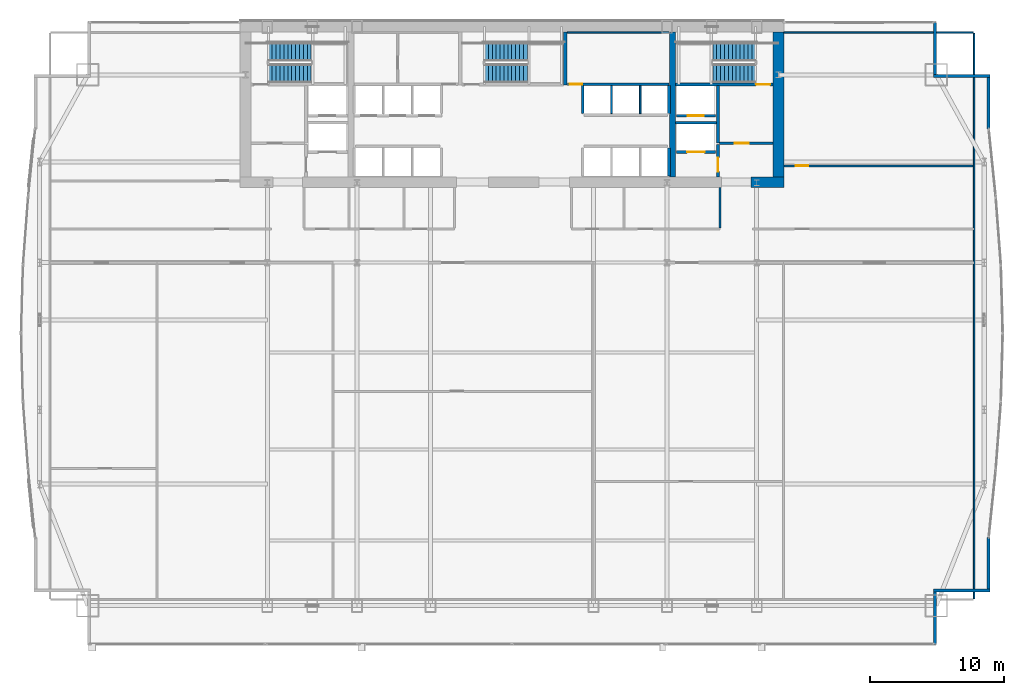
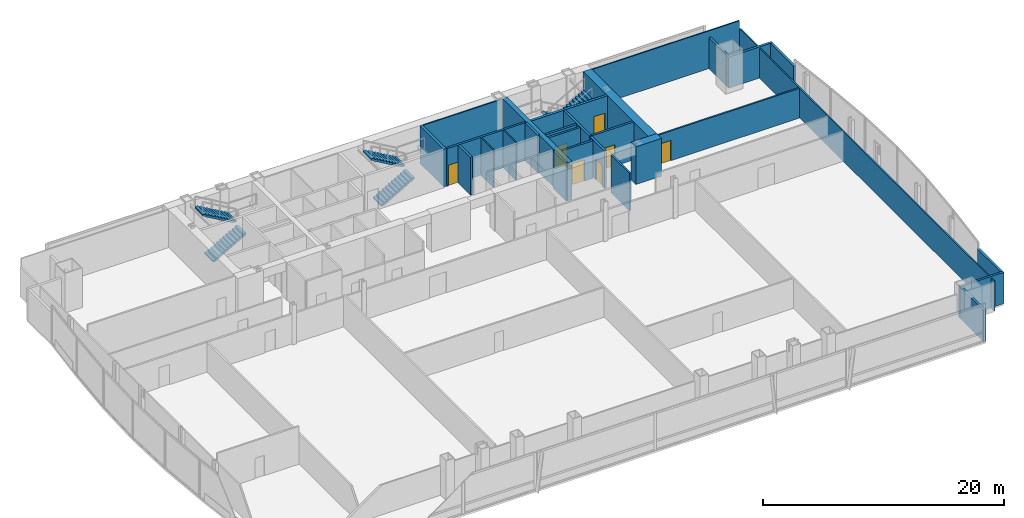
# One storey, part 31 of 33: 28 walls, 7 doors, 6 stair flights, 7 openings, 3 elements without a shape of their own.
"""IFC4 building model written with IfcOpenShell, lengths in metres."""

import ifcopenshell
import ifcopenshell.guid

model = None  # the IFC model being written
_history = None  # IfcOwnerHistory: only IFC2X3 demands one
_inside = {}  # id of a spatial element -> (the spatial element, [elements in it])
_under = {}  # id of a project, library or spatial element -> (it, [spatial elements below it])
_declared = {}  # id of a project -> (the project, [libraries it declares])
_typed = {}  # id of a type object -> (the type object, [elements of that type])
_made_of = {}  # id of a material, layer set ... -> (it, [elements and type objects made of it])


def new_model(schema):
    """Start an empty IFC model of exactly this schema.

    Asked for "IFC4X3", IfcOpenShell would pick the latest addendum, in which some entities
    have other attributes; the version numbers below select the first issue.
    IFC2X3 requires an IfcOwnerHistory on every rooted entity: one is made here for all.
    """
    global model, _history
    if schema == "IFC4X3":
        model = ifcopenshell.file(schema_version=(4, 3, 0, 0))
    else:
        model = ifcopenshell.file(schema=schema)
    _inside.clear()
    _under.clear()
    _declared.clear()
    _typed.clear()
    _made_of.clear()
    _history = None
    if model.schema == "IFC2X3":
        org = make("IfcOrganization", Name="unknown")
        user = make(
            "IfcPersonAndOrganization",
            ThePerson=make("IfcPerson", FamilyName="unknown"),
            TheOrganization=org,
        )
        app = make(
            "IfcApplication",
            ApplicationDeveloper=org,
            Version="unknown",
            ApplicationFullName="unknown",
            ApplicationIdentifier="unknown",
        )
        _history = make(
            "IfcOwnerHistory",
            OwningUser=user,
            OwningApplication=app,
            ChangeAction="ADDED",
            CreationDate=0,
        )
    return model


def make(cls, **values):
    """One entity of the class cls with the attributes given. An attribute that is None is left unset."""
    return model.create_entity(
        cls, **{name: value for name, value in values.items() if value is not None}
    )


def rooted(cls, **values):
    """An entity with a GlobalId (a new one), such as an element, a storey or a relation."""
    return make(cls, GlobalId=ifcopenshell.guid.new(), OwnerHistory=_history, **values)


def si_unit(unit_type, name, prefix=None):
    """IfcSIUnit, for example si_unit("LENGTHUNIT", "METRE", prefix="MILLI")."""
    return make("IfcSIUnit", UnitType=unit_type, Prefix=prefix, Name=name)


def assignment(units):
    """IfcUnitAssignment: the units of a project."""
    return None if units is None else make("IfcUnitAssignment", Units=units)


def point(xyz):
    """IfcCartesianPoint."""
    return None if xyz is None else make("IfcCartesianPoint", Coordinates=xyz)


def direction(xyz):
    """IfcDirection."""
    return None if xyz is None else make("IfcDirection", DirectionRatios=xyz)


def frame(location, z_axis=None, x_axis=None):
    """IfcAxis2Placement3D, a coordinate frame: its origin and axes. An axis left out is left unset."""
    return make(
        "IfcAxis2Placement3D",
        Location=point(location),
        Axis=direction(z_axis),
        RefDirection=direction(x_axis),
    )


def frame_2d(location, x_axis=None):
    """IfcAxis2Placement2D, a coordinate frame in the plane: its origin and x axis."""
    return make(
        "IfcAxis2Placement2D", Location=point(location), RefDirection=direction(x_axis)
    )


def origin():
    """The frame at (0, 0, 0) with its axes left unset."""
    return frame((0.0, 0.0, 0.0))


def place(relative_to, where):
    """IfcLocalPlacement: puts the frame where relative to a parent placement (None: the world)."""
    return make(
        "IfcLocalPlacement", PlacementRelTo=relative_to, RelativePlacement=where
    )


def context(
    kind, dimensions, precision=None, world=None, true_north=None, identifier=None
):
    """IfcGeometricRepresentationContext, for example the 3D "Model" context."""
    return make(
        "IfcGeometricRepresentationContext",
        ContextIdentifier=identifier,
        ContextType=kind,
        CoordinateSpaceDimension=dimensions,
        Precision=precision,
        WorldCoordinateSystem=world,
        TrueNorth=true_north,
    )


def subcontext(parent, identifier, kind, view, scale=None):
    """IfcGeometricRepresentationSubContext, for example "Body" below "Model"."""
    return make(
        "IfcGeometricRepresentationSubContext",
        ContextIdentifier=identifier,
        ContextType=kind,
        ParentContext=parent,
        TargetScale=scale,
        TargetView=view,
    )


def project(units=None, contexts=None):
    """IfcProject with its units and contexts."""
    return rooted(
        "IfcProject",
        Name="project",
        RepresentationContexts=contexts,
        UnitsInContext=assignment(units),
    )


def spatial(cls, under=None, at=None, **own):
    """A site, building, storey or space (cls), placed at a placement, below another one or the project."""
    s = rooted(cls, ObjectPlacement=at, **own)
    if under is not None:
        _under.setdefault(under.id(), (under, []))[1].append(s)
    return s


def polyline(points):
    """IfcPolyline through the points."""
    return make("IfcPolyline", Points=[point(p) for p in points])


def profile(cls, at=None, kind="AREA", **sizes):
    """A parametric profile (cls). Its sizes go by their IFC names, for example OverallWidth=200.0."""
    return make(cls, ProfileType=kind, Position=at, **sizes)


def rectangle(**sizes):
    """IfcRectangleProfileDef."""
    return profile("IfcRectangleProfileDef", **sizes)


def outline(outer, holes=None, kind="AREA"):
    """IfcArbitraryClosedProfileDef: a profile drawn as a closed curve; with holes, ...WithVoids."""
    if holes is None:
        return make("IfcArbitraryClosedProfileDef", ProfileType=kind, OuterCurve=outer)
    return make(
        "IfcArbitraryProfileDefWithVoids",
        ProfileType=kind,
        OuterCurve=outer,
        InnerCurves=holes,
    )


def extrude(swept, where, along, depth):
    """IfcExtrudedAreaSolid: the profile swept, set in the frame where, extruded along a direction by depth."""
    return make(
        "IfcExtrudedAreaSolid",
        SweptArea=swept,
        Position=where,
        ExtrudedDirection=direction(along),
        Depth=depth,
    )


def shape(context_of_items, identifier, shape_type, items):
    """IfcShapeRepresentation: the items that make up one representation, for example the "Body"."""
    return make(
        "IfcShapeRepresentation",
        ContextOfItems=context_of_items,
        RepresentationIdentifier=identifier,
        RepresentationType=shape_type,
        Items=items,
    )


def material(Name=None, Category=None):
    """IfcMaterial."""
    return make("IfcMaterial", Name=Name, Category=Category)


def layer(
    of_material, thickness, ventilated=None, Name=None, Category=None, Priority=None
):
    """IfcMaterialLayer: one layer of a wall or slab, of a material (None: an air gap)."""
    return make(
        "IfcMaterialLayer",
        Material=of_material,
        LayerThickness=thickness,
        IsVentilated=ventilated,
        Name=Name,
        Category=Category,
        Priority=Priority,
    )


def layer_set(layers, Name=None):
    """IfcMaterialLayerSet."""
    return make("IfcMaterialLayerSet", MaterialLayers=layers, LayerSetName=Name)


def made_of(thing, what):
    """Note that an element or type object is made of a material, layer set ...; save() writes the relation."""
    if what is not None:
        _made_of.setdefault(what.id(), (what, []))[1].append(thing)
    return thing


def type_object(cls, material=None, **own):
    """A type object (cls), such as IfcWallType, which elements share."""
    return made_of(rooted(cls, **own), material)


def element(
    cls,
    number,
    at=None,
    inside=None,
    cuts=None,
    type_object=None,
    material=None,
    context=None,
    identifier="Body",
    shape_type=None,
    held_by="IfcProductDefinitionShape",
    body=None,
    shapes=None,
    **own,
):
    """One element of the class cls, such as IfcWall. Its Tag is "e" and its number.

    at: its placement. inside: the storey or other place that contains it. cuts: it is an
    opening in that element (IfcRelVoidsElement). A single representation is given by context,
    identifier, shape_type and body (its items); several are given by shapes. held_by: the class
    of the entity that holds the representations. save() writes the other relations.
    """
    e = rooted(cls, Tag="e%d" % number, ObjectPlacement=at, **own)
    if body is not None:
        shapes = [shape(context, identifier, shape_type, body)]
    if shapes is not None:
        e.Representation = make(held_by, Representations=shapes)
    if inside is not None:
        _inside.setdefault(inside.id(), (inside, []))[1].append(e)
    if cuts is not None:
        rooted(
            "IfcRelVoidsElement", RelatingBuildingElement=cuts, RelatedOpeningElement=e
        )
    if type_object is not None:
        _typed.setdefault(type_object.id(), (type_object, []))[1].append(e)
    return made_of(e, material)


def fill(opening, filler):
    """IfcRelFillsElement: the door or window that sits in an opening."""
    return rooted(
        "IfcRelFillsElement",
        RelatingOpeningElement=opening,
        RelatedBuildingElement=filler,
    )


def aggregate(whole, parts):
    """IfcRelAggregates: a whole, such as a stair, and the parts it consists of."""
    return rooted("IfcRelAggregates", RelatingObject=whole, RelatedObjects=parts)


def save(model, path):
    """Write the relations noted so far, then the file.

    IfcRelAggregates (storeys below a building ...), IfcRelContainedInSpatialStructure (elements
    in a storey), IfcRelDefinesByType, IfcRelAssociatesMaterial and IfcRelDeclares: one each for
    every whole, place, type object, material and project.
    """
    for whole, parts in _under.values():
        aggregate(whole, parts)
    for where, things in _inside.values():
        rooted(
            "IfcRelContainedInSpatialStructure",
            RelatedElements=things,
            RelatingStructure=where,
        )
    for kind, things in _typed.values():
        rooted("IfcRelDefinesByType", RelatedObjects=things, RelatingType=kind)
    for what, things in _made_of.values():
        rooted("IfcRelAssociatesMaterial", RelatedObjects=things, RelatingMaterial=what)
    for by, libraries in _declared.values():
        rooted("IfcRelDeclares", RelatingContext=by, RelatedDefinitions=libraries)
    model.write(path)


model = new_model("IFC4")

# Units and contexts
model_context = context("Model", 3, precision=1e-05, world=origin(), true_north=direction((0.0, 1.0)))
body_context = subcontext(model_context, "Body", "Model", "MODEL_VIEW")
ifc_project = project(units=[si_unit("LENGTHUNIT", "METRE"), si_unit("AREAUNIT", "SQUARE_METRE"), si_unit("VOLUMEUNIT", "CUBIC_METRE"), si_unit("PLANEANGLEUNIT", "RADIAN"), si_unit("MASSUNIT", "GRAM", prefix="KILO")], contexts=[model_context])

# Site, building, storey
site_placement = place(None, origin())
site = spatial("IfcSite", under=ifc_project, at=site_placement, CompositionType="ELEMENT")
building_placement = place(site_placement, origin())
building = spatial("IfcBuilding", under=site, at=building_placement, Name="Khoronbel Lancet Exchange", CompositionType="ELEMENT")
storey_placement = place(building_placement, frame((0.0, 0.0, 33.800048828125)))
storey = spatial("IfcBuildingStorey", under=building, at=storey_placement, Name="L07", CompositionType="ELEMENT", Elevation=33.800048828125)

# Walls
ifc_material_1 = material(Name="Concrete C80/95", Category="concrete")
ifc_layer_1 = layer(ifc_material_1, 0.800048828125, Name="Concrete C80/95")
ifc_layer_set_1 = layer_set([ifc_layer_1], Name="Concrete C80/95")
wall_type_1 = type_object("IfcWallType", Name="WL-CW1", PredefinedType="SHEAR", material=ifc_layer_set_1)
wall_1_placement = place(storey_placement, frame((56.300048828125, 52.89990234375, 0.0), z_axis=(0.0, 0.0, 1.0), x_axis=(0.0, -1.0, 0.0)))
element("IfcWall", 1, at=wall_1_placement, inside=storey, type_object=wall_type_1, Name="Level L07 rear core east shear wall", PredefinedType="SHEAR", context=body_context, shape_type="SweptSolid", body=[
    extrude(rectangle(XDim=10.7998046875, YDim=0.800048828125, at=frame_2d((5.39990234375, 0.0))), origin(), (0.0, 0.0, 1.0), 3.820068359375),
])
wall_2_placement = place(storey_placement, frame((56.699951171875, 41.699951171875, 0.0), z_axis=(0.0, 0.0, 1.0), x_axis=(-1.0, 0.0, 0.0)))
element("IfcWall", 2, at=wall_2_placement, inside=storey, type_object=wall_type_1, Name="Level L07 rear core south shear wall pier P5", PredefinedType="SHEAR", context=body_context, shape_type="SweptSolid", body=[
    extrude(rectangle(XDim=2.449951171875, YDim=0.800048828125, at=frame_2d((1.22509765625, 0.0))), origin(), (0.0, 0.0, 1.0), 3.820068359375),
])
ifc_material_2 = material(Name="Precast concrete C40/50", Category="concrete")
ifc_layer_2 = layer(ifc_material_2, 0.25, Name="Precast concrete C40/50")
ifc_layer_set_2 = layer_set([ifc_layer_2], Name="Precast concrete C40/50")
wall_type_2 = type_object("IfcWallType", Name="WL-EXT250", PredefinedType="SOLIDWALL", material=ifc_layer_set_2)
wall_3_placement = place(storey_placement, frame((67.9599609375, 53.6298828125, 0.0), z_axis=(0.0, 0.0, 1.0), x_axis=(0.0, -1.0, 0.0)))
element("IfcWall", 3, at=wall_3_placement, inside=storey, type_object=wall_type_2, Name="Level L07 notched-corner limestone pier 14", PredefinedType="SOLIDWALL", context=body_context, shape_type="SweptSolid", body=[
    extrude(rectangle(XDim=3.909912109375, YDim=0.219970703125, at=frame_2d((1.955078125, 0.0))), origin(), (0.0, 0.0, 1.0), 3.159912109375),
])
wall_4_placement = place(storey_placement, frame((67.85009765625, 49.610107421875, 0.0), z_axis=(0.0, 0.0, 1.0), x_axis=(1.0, 0.0, 0.0)))
element("IfcWall", 4, at=wall_4_placement, inside=storey, type_object=wall_type_2, Name="Level L07 notched-corner limestone pier 15", PredefinedType="SOLIDWALL", context=body_context, shape_type="SweptSolid", body=[
    extrude(rectangle(XDim=4.219970703125, YDim=0.219970703125, at=frame_2d((2.10986328125, 0.0))), origin(), (0.0, 0.0, 1.0), 3.159912109375),
])
for number, where, z_axis, x_axis, name in (
    (5, (71.9599609375, 49.5, 0.0), (0.0, 0.0, 1.0), (0.0, -1.0, 0.0), "Level L07 notched-corner limestone pier 16"),
    (6, (71.9599609375, 15.224609375, 0.0), (0.0, 0.0, 1.0), (0.0, -1.0, 0.0), "Level L07 notched-corner limestone pier 23"),
):
    element("IfcWall", number, at=place(storey_placement, frame(where, z_axis=z_axis, x_axis=x_axis)), inside=storey, type_object=wall_type_2, Name=name, PredefinedType="SOLIDWALL", context=body_context, shape_type="SweptSolid", body=[
        extrude(rectangle(XDim=3.82470703125, YDim=0.219970703125, at=frame_2d((1.912353515625, 0.0))), origin(), (0.0, 0.0, 1.0), 3.159912109375),
    ])
wall_5_placement = place(storey_placement, frame((72.070068359375, 11.2900390625, 0.0), z_axis=(0.0, 0.0, 1.0), x_axis=(-1.0, 0.0, 0.0)))
element("IfcWall", 7, at=wall_5_placement, inside=storey, type_object=wall_type_2, Name="Level L07 notched-corner limestone pier 24", PredefinedType="SOLIDWALL", context=body_context, shape_type="SweptSolid", body=[
    extrude(rectangle(XDim=4.219970703125, YDim=0.219970703125, at=frame_2d((2.10986328125, 0.0))), origin(), (0.0, 0.0, 1.0), 3.159912109375),
])
wall_6_placement = place(storey_placement, frame((67.9599609375, 11.179931640625, 0.0), z_axis=(0.0, 0.0, 1.0), x_axis=(0.0, -1.0, 0.0)))
element("IfcWall", 8, at=wall_6_placement, inside=storey, type_object=wall_type_2, Name="Level L07 notched-corner limestone pier 25", PredefinedType="SOLIDWALL", context=body_context, shape_type="SweptSolid", body=[
    extrude(rectangle(XDim=3.909912109375, YDim=0.219970703125, at=frame_2d((1.955078125, 0.0))), origin(), (0.0, 0.0, 1.0), 3.159912109375),
])
ifc_material_3 = material(Name="Acoustic Metal-Stud & Mineral-Wool Gypsum Partition 120 mm", Category="gypsum")
ifc_layer_3 = layer(ifc_material_3, 0.1201171875, Name="Acoustic Metal-Stud & Mineral-Wool Gypsum Partition 120 mm")
ifc_layer_set_3 = layer_set([ifc_layer_3], Name="Acoustic Metal-Stud & Mineral-Wool Gypsum Partition 120 mm")
wall_type_3 = type_object("IfcWallType", Name="WL-PRT120", PredefinedType="PARTITIONING", material=ifc_layer_set_3)
wall_7_placement = place(storey_placement, frame((51.949951171875, 38.280029296875, 0.0), z_axis=(0.0, 0.0, 1.0), x_axis=(0.0, 1.0, 0.0)))
element("IfcWall", 9, at=wall_7_placement, inside=storey, type_object=wall_type_3, Name="Level L07 interior partition PW-NP-1", PredefinedType="PARTITIONING", context=body_context, shape_type="SweptSolid", body=[
    extrude(rectangle(XDim=3.02001953125, YDim=0.14990234375, at=frame_2d((1.510009765625, 0.0))), origin(), (0.0, 0.0, 1.0), 3.820068359375),
])

# Wall, opening, door
wall_8_placement = place(storey_placement, frame((56.699951171875, 42.919921875, 0.0), z_axis=(0.0, 0.0, 1.0), x_axis=(1.0, 0.0, 0.0)))
wall_8 = element("IfcWall", 10, at=wall_8_placement, inside=storey, type_object=wall_type_3, Name="Level L07 interior partition PW-NE-H", PredefinedType="PARTITIONING", context=body_context, shape_type="SweptSolid", body=[
    extrude(rectangle(XDim=14.10498046875, YDim=0.14990234375, at=frame_2d((7.052490234375, 0.0))), origin(), (0.0, 0.0, 1.0), 3.010009765625),
])
opening_1_placement = place(wall_8_placement, frame((0.89990234375, 0.0, 0.0)))
opening_1 = element("IfcOpeningElement", 11, at=opening_1_placement, cuts=wall_8, Name="Opening D5", PredefinedType="OPENING", context=body_context, shape_type="SweptSolid", body=[
    extrude(rectangle(XDim=0.89990234375, YDim=2.050048828125, at=frame_2d((0.449951171875, 1.02490234375))), frame((0.0, 0.0849609375, 0.0), z_axis=(0.0, -1.0, 0.0), x_axis=(1.0, 0.0, 0.0)), (0.0, 0.0, 1.0), 0.169921875),
])
ifc_material_4 = material(Name="Acoustic Timber Pantry & Support Door", Category="wood")
door_type_1 = type_object("IfcDoorType", Name="DR-D5", OperationType="NOTDEFINED", PredefinedType="DOOR", material=ifc_material_4)
door_1_placement = place(opening_1_placement, origin())
door_1 = element("IfcDoor", 12, at=door_1_placement, inside=storey, type_object=door_type_1, Name="NE north room door L07-1", OperationType="SINGLE_SWING_LEFT", OverallHeight=2.050048828125, OverallWidth=0.89990234375, PredefinedType="DOOR", context=body_context, shape_type="SweptSolid", body=[
    extrude(rectangle(XDim=0.89990234375, YDim=2.050048828125, at=frame_2d((0.449951171875, 1.02490234375))), frame((0.0, 0.02490234375, 0.0), z_axis=(0.0, -1.0, 0.0), x_axis=(1.0, 0.0, 0.0)), (0.0, 0.0, 1.0), 0.050048828125),
])
fill(opening_1, door_1)

# Walls
wall_9_placement = place(storey_placement, frame((70.8701171875, 10.6650390625, 0.0), z_axis=(0.0, 0.0, 1.0), x_axis=(0.0, 1.0, 0.0)))
element("IfcWall", 13, at=wall_9_placement, inside=storey, type_object=wall_type_3, Name="Level L07 interior partition PW-LIN-E", PredefinedType="PARTITIONING", context=body_context, shape_type="SweptSolid", body=[
    extrude(rectangle(XDim=42.10986328125, YDim=0.1201171875, at=frame_2d((21.054931640625, 0.0))), origin(), (0.0, 0.0, 1.0), 3.010009765625),
])
wall_10_placement = place(storey_placement, frame((56.699951171875, 52.840087890625, 0.0), z_axis=(0.0, 0.0, 1.0), x_axis=(1.0, 0.0, 0.0)))
element("IfcWall", 14, at=wall_10_placement, inside=storey, type_object=wall_type_3, Name="Level L07 interior partition PW-LIN-NE", PredefinedType="PARTITIONING", context=body_context, shape_type="SweptSolid", body=[
    extrude(rectangle(XDim=14.10498046875, YDim=0.1201171875, at=frame_2d((7.052490234375, 0.0))), origin(), (0.0, 0.0, 1.0), 3.820068359375),
])
ifc_material_5 = material(Name="Fire-Rated Metal-Stud & Mineral-Wool Gypsum Partition 120 mm", Category="gypsum")
ifc_layer_4 = layer(ifc_material_5, 0.1201171875, Name="Fire-Rated Metal-Stud & Mineral-Wool Gypsum Partition 120 mm")
ifc_layer_set_4 = layer_set([ifc_layer_4], Name="Fire-Rated Metal-Stud & Mineral-Wool Gypsum Partition 120 mm")
wall_type_4 = type_object("IfcWallType", Name="WL-PRT120F", PredefinedType="PARTITIONING", material=ifc_layer_set_4)
for number, where, z_axis, x_axis, name in (
    (15, (43.860107421875, 46.804931640625, 0.0), (0.0, 0.0, 1.0), (0.0, 1.0, 0.0), "Level L07 interior partition CW-PH-D1"),
    (16, (46.0, 46.804931640625, 0.0), (0.0, 0.0, 1.0), (0.0, 1.0, 0.0), "Level L07 interior partition CW-PH-D2"),
):
    element("IfcWall", number, at=place(storey_placement, frame(where, z_axis=z_axis, x_axis=x_axis)), inside=storey, type_object=wall_type_4, Name=name, PredefinedType="PARTITIONING", context=body_context, shape_type="SweptSolid", body=[
        extrude(rectangle(XDim=2.090087890625, YDim=0.1201171875, at=frame_2d((1.044921875, 0.0))), origin(), (0.0, 0.0, 1.0), 3.820068359375),
    ])
wall_11_placement = place(storey_placement, frame((40.580078125, 52.860107421875, 0.0), z_axis=(0.0, 0.0, 1.0), x_axis=(1.0, 0.0, 0.0)))
element("IfcWall", 17, at=wall_11_placement, inside=storey, type_object=wall_type_4, Name="Level L07 interior partition CW-SUP-NE-N", PredefinedType="PARTITIONING", context=body_context, shape_type="SweptSolid", body=[
    extrude(rectangle(XDim=7.559814453125, YDim=0.1201171875, at=frame_2d((3.77978515625, 0.0))), origin(), (0.0, 0.0, 1.0), 3.820068359375),
])

# Wall, opening, door
ifc_material_6 = material(Name="Autoclaved Aerated Concrete Blockwork 200 mm", Category="masonry")
ifc_layer_5 = layer(ifc_material_6, 0.199951171875, Name="Autoclaved Aerated Concrete Blockwork 200 mm")
ifc_layer_set_5 = layer_set([ifc_layer_5], Name="Autoclaved Aerated Concrete Blockwork 200 mm")
wall_type_5 = type_object("IfcWallType", Name="WL-PRT200", PredefinedType="PARTITIONING", material=ifc_layer_set_5)
wall_12_placement = place(storey_placement, frame((51.610107421875, 43.949951171875, 0.0), z_axis=(0.0, 0.0, 1.0), x_axis=(-1.0, 0.0, 0.0)))
wall_12 = element("IfcWall", 18, at=wall_12_placement, inside=storey, type_object=wall_type_5, Name="Level L07 elevator hoistway landing front wall SVLE", PredefinedType="PARTITIONING", context=body_context, shape_type="SweptSolid", body=[
    extrude(rectangle(XDim=2.920166015625, YDim=0.199951171875, at=frame_2d((1.4599609375, 0.0))), origin(), (0.0, 0.0, 1.0), 3.820068359375),
])
opening_2_placement = place(wall_12_placement, frame((0.81005859375, 0.0, 0.0)))
opening_2 = element("IfcOpeningElement", 19, at=opening_2_placement, cuts=wall_12, Name="Opening LD-SVL2", PredefinedType="OPENING", context=body_context, shape_type="SweptSolid", body=[
    extrude(rectangle(XDim=1.300048828125, YDim=2.179931640625, at=frame_2d((0.64990234375, 1.08984375))), frame((0.0, 0.10986328125, 0.0), z_axis=(0.0, -1.0, 0.0), x_axis=(1.0, 0.0, 0.0)), (0.0, 0.0, 1.0), 0.219970703125),
])
ifc_material_7 = material(Name="Heavy-Duty Bi-Parting Goods Lift Landing Door", Category="steel")
door_type_2 = type_object("IfcDoorType", Name="DR-LD-SVL", OperationType="NOTDEFINED", PredefinedType="DOOR", material=ifc_material_7)
door_2_placement = place(opening_2_placement, origin())
door_2 = element("IfcDoor", 20, at=door_2_placement, inside=storey, type_object=door_type_2, Name="Elevator landing sliding door LD-SVL2 L07", OperationType="SLIDING_TO_LEFT", OverallHeight=2.179931640625, OverallWidth=1.300048828125, PredefinedType="DOOR", context=body_context, shape_type="SweptSolid", body=[
    extrude(rectangle(XDim=1.300048828125, YDim=2.179931640625, at=frame_2d((0.64990234375, 1.08984375))), frame((0.0, 0.02490234375, 0.0), z_axis=(0.0, -1.0, 0.0), x_axis=(1.0, 0.0, 0.0)), (0.0, 0.0, 1.0), 0.050048828125),
])
fill(opening_2, door_2)

wall_13_placement = place(storey_placement, frame((51.610107421875, 46.64990234375, 0.0), z_axis=(0.0, 0.0, 1.0), x_axis=(-1.0, 0.0, 0.0)))
wall_13 = element("IfcWall", 21, at=wall_13_placement, inside=storey, type_object=wall_type_5, Name="Level L07 elevator hoistway landing front wall FFLE", PredefinedType="PARTITIONING", context=body_context, shape_type="SweptSolid", body=[
    extrude(rectangle(XDim=2.920166015625, YDim=0.199951171875, at=frame_2d((1.4599609375, 0.0))), origin(), (0.0, 0.0, 1.0), 3.820068359375),
])
opening_3_placement = place(wall_13_placement, frame((0.860107421875, 0.0, 0.0)))
opening_3 = element("IfcOpeningElement", 22, at=opening_3_placement, cuts=wall_13, Name="Opening LD-FFL2", PredefinedType="OPENING", context=body_context, shape_type="SweptSolid", body=[
    extrude(rectangle(XDim=1.199951171875, YDim=2.179931640625, at=frame_2d((0.60009765625, 1.08984375))), frame((0.0, 0.10986328125, 0.0), z_axis=(0.0, -1.0, 0.0), x_axis=(1.0, 0.0, 0.0)), (0.0, 0.0, 1.0), 0.219970703125),
])
ifc_material_8 = material(Name="Fire-Rated Stainless Bi-Parting Firefighting Lift Door", Category="steel")
door_type_3 = type_object("IfcDoorType", Name="DR-LD-FFL", OperationType="NOTDEFINED", PredefinedType="DOOR", material=ifc_material_8)
door_3_placement = place(opening_3_placement, origin())
door_3 = element("IfcDoor", 23, at=door_3_placement, inside=storey, type_object=door_type_3, Name="Elevator landing sliding door LD-FFL2 L07", OperationType="SLIDING_TO_LEFT", OverallHeight=2.179931640625, OverallWidth=1.199951171875, PredefinedType="DOOR", context=body_context, shape_type="SweptSolid", body=[
    extrude(rectangle(XDim=1.199951171875, YDim=2.179931640625, at=frame_2d((0.60009765625, 1.08984375))), frame((0.0, 0.02490234375, 0.0), z_axis=(0.0, -1.0, 0.0), x_axis=(1.0, 0.0, 0.0)), (0.0, 0.0, 1.0), 0.050048828125),
])
fill(opening_3, door_3)

# Wall
wall_14_placement = place(storey_placement, frame((51.800048828125, 44.60009765625, 0.0), z_axis=(0.0, 0.0, 1.0), x_axis=(0.0, 1.0, 0.0)))
element("IfcWall", 24, at=wall_14_placement, inside=storey, type_object=wall_type_5, Name="Level L07 interior partition CW-FFLE-W", PredefinedType="PARTITIONING", context=body_context, shape_type="SweptSolid", body=[
    extrude(rectangle(XDim=4.2998046875, YDim=0.199951171875, at=frame_2d((2.14990234375, 0.0))), origin(), (0.0, 0.0, 1.0), 3.820068359375),
])

# Wall, opening, door
wall_15_placement = place(storey_placement, frame((51.89990234375, 44.60009765625, 0.0), z_axis=(0.0, 0.0, 1.0), x_axis=(1.0, 0.0, 0.0)))
wall_15 = element("IfcWall", 25, at=wall_15_placement, inside=storey, type_object=wall_type_5, Name="Level L07 interior partition CW-FFLE-S", PredefinedType="PARTITIONING", context=body_context, shape_type="SweptSolid", body=[
    extrude(rectangle(XDim=4.0, YDim=0.199951171875, at=frame_2d((2.0, 0.0))), origin(), (0.0, 0.0, 1.0), 3.820068359375),
])
opening_4_placement = place(wall_15_placement, frame((1.14990234375, 0.0, 0.0)))
opening_4 = element("IfcOpeningElement", 26, at=opening_4_placement, cuts=wall_15, Name="Opening FD1", PredefinedType="OPENING", context=body_context, shape_type="SweptSolid", body=[
    extrude(rectangle(XDim=1.050048828125, YDim=2.14990234375, at=frame_2d((0.52490234375, 1.074951171875))), frame((0.0, 0.10986328125, 0.0), z_axis=(0.0, -1.0, 0.0), x_axis=(1.0, 0.0, 0.0)), (0.0, 0.0, 1.0), 0.219970703125),
])
ifc_material_9 = material(Name="Fire-Rated Painted Steel Door Assembly", Category="steel")
door_type_4 = type_object("IfcDoorType", Name="DR-FD1", OperationType="NOTDEFINED", PredefinedType="DOOR", material=ifc_material_9)
door_4_placement = place(opening_4_placement, origin())
door_4 = element("IfcDoor", 27, at=door_4_placement, inside=storey, type_object=door_type_4, Name="East firefighting lobby FD90S door L07-1", OperationType="SINGLE_SWING_RIGHT", OverallHeight=2.14990234375, OverallWidth=1.050048828125, PredefinedType="DOOR", context=body_context, shape_type="SweptSolid", body=[
    extrude(rectangle(XDim=1.050048828125, YDim=2.14990234375, at=frame_2d((0.52490234375, 1.074951171875))), frame((0.0, 0.02490234375, 0.0), z_axis=(0.0, -1.0, 0.0), x_axis=(1.0, 0.0, 0.0)), (0.0, 0.0, 1.0), 0.050048828125),
])
fill(opening_4, door_4)

# Wall
wall_16_placement = place(storey_placement, frame((48.6298828125, 46.1201171875, 0.0), z_axis=(0.0, 0.0, 1.0), x_axis=(1.0, 0.0, 0.0)))
element("IfcWall", 28, at=wall_16_placement, inside=storey, type_object=wall_type_5, Name="Level L07 interior partition CW-FFL2-S", PredefinedType="PARTITIONING", context=body_context, shape_type="SweptSolid", body=[
    extrude(rectangle(XDim=3.070068359375, YDim=0.199951171875, at=frame_2d((1.53515625, 0.0))), origin(), (0.0, 0.0, 1.0), 3.820068359375),
])

# Wall, opening, door
wall_17_placement = place(storey_placement, frame((51.800048828125, 42.10009765625, 0.0), z_axis=(0.0, 0.0, 1.0), x_axis=(0.0, 1.0, 0.0)))
wall_17 = element("IfcWall", 29, at=wall_17_placement, inside=storey, type_object=wall_type_5, Name="Level L07 interior partition CW-SVLE-E", PredefinedType="PARTITIONING", context=body_context, shape_type="SweptSolid", body=[
    extrude(rectangle(XDim=2.39501953125, YDim=0.199951171875, at=frame_2d((1.197509765625, 0.0))), origin(), (0.0, 0.0, 1.0), 3.820068359375),
])
opening_5_placement = place(wall_17_placement, frame((0.3798828125, 0.0, 0.0)))
opening_5 = element("IfcOpeningElement", 30, at=opening_5_placement, cuts=wall_17, Name="Opening FD1", PredefinedType="OPENING", context=body_context, shape_type="SweptSolid", body=[
    extrude(rectangle(XDim=1.050048828125, YDim=2.14990234375, at=frame_2d((0.52490234375, 1.074951171875))), frame((0.0, 0.10986328125, 0.0), z_axis=(0.0, -1.0, 0.0), x_axis=(1.0, 0.0, 0.0)), (0.0, 0.0, 1.0), 0.219970703125),
])
door_5_placement = place(opening_5_placement, origin())
door_5 = element("IfcDoor", 31, at=door_5_placement, inside=storey, type_object=door_type_4, Name="East service lift lobby door L07-1", OperationType="SINGLE_SWING_LEFT", OverallHeight=2.14990234375, OverallWidth=1.050048828125, PredefinedType="DOOR", context=body_context, shape_type="SweptSolid", body=[
    extrude(rectangle(XDim=1.050048828125, YDim=2.14990234375, at=frame_2d((0.52490234375, 1.074951171875))), frame((0.0, 0.02490234375, 0.0), z_axis=(0.0, -1.0, 0.0), x_axis=(1.0, 0.0, 0.0)), (0.0, 0.0, 1.0), 0.050048828125),
])
fill(opening_5, door_5)

# Walls
for number, where, z_axis, x_axis, name in (
    (32, (41.719970703125, 46.804931640625, 0.0), (0.0, 0.0, 1.0), (0.0, 1.0, 0.0), "Level L07 interior partition CW-PH-W"),
    (33, (48.139892578125, 46.804931640625, 0.0), (0.0, 0.0, 1.0), (0.0, 1.0, 0.0), "Level L07 interior partition CW-PH-E"),
):
    element("IfcWall", number, at=place(storey_placement, frame(where, z_axis=z_axis, x_axis=x_axis)), inside=storey, type_object=wall_type_5, Name=name, PredefinedType="PARTITIONING", context=body_context, shape_type="SweptSolid", body=[
        extrude(rectangle(XDim=2.090087890625, YDim=0.199951171875, at=frame_2d((1.044921875, 0.0))), origin(), (0.0, 0.0, 1.0), 3.820068359375),
    ])
wall_18_placement = place(storey_placement, frame((48.139892578125, 42.14990234375, 0.0), z_axis=(0.0, 0.0, 1.0), x_axis=(0.0, 1.0, 0.0)))
element("IfcWall", 34, at=wall_18_placement, inside=storey, type_object=wall_type_5, Name="Level L07 interior partition CW-PX-E", PredefinedType="PARTITIONING", context=body_context, shape_type="SweptSolid", body=[
    extrude(rectangle(XDim=2.09521484375, YDim=0.199951171875, at=frame_2d((1.047607421875, 0.0))), origin(), (0.0, 0.0, 1.0), 3.820068359375),
])

# Wall, opening, door
wall_19_placement = place(storey_placement, frame((40.580078125, 49.0, 0.0), z_axis=(0.0, 0.0, 1.0), x_axis=(1.0, 0.0, 0.0)))
wall_19 = element("IfcWall", 35, at=wall_19_placement, inside=storey, type_object=wall_type_5, Name="Level L07 interior partition CW-SUP-NE-S", PredefinedType="PARTITIONING", context=body_context, shape_type="SweptSolid", body=[
    extrude(rectangle(XDim=7.559814453125, YDim=0.199951171875, at=frame_2d((3.77978515625, 0.0))), origin(), (0.0, 0.0, 1.0), 3.820068359375),
])
opening_6_placement = place(wall_19_placement, frame((0.159912109375, 0.0, 0.0)))
opening_6 = element("IfcOpeningElement", 36, at=opening_6_placement, cuts=wall_19, Name="Opening FD3", PredefinedType="OPENING", context=body_context, shape_type="SweptSolid", body=[
    extrude(rectangle(XDim=0.949951171875, YDim=2.10009765625, at=frame_2d((0.47509765625, 1.050048828125))), frame((0.0, 0.10986328125, 0.0), z_axis=(0.0, -1.0, 0.0), x_axis=(1.0, 0.0, 0.0)), (0.0, 0.0, 1.0), 0.219970703125),
])
ifc_material_10 = material(Name="Fire-Rated Steel Plant & Riser Door Assembly", Category="steel")
door_type_5 = type_object("IfcDoorType", Name="DR-FD3", OperationType="NOTDEFINED", PredefinedType="DOOR", material=ifc_material_10)
door_6_placement = place(opening_6_placement, origin())
door_6 = element("IfcDoor", 37, at=door_6_placement, inside=storey, type_object=door_type_5, Name="Core NE support room door L07-1", OperationType="SINGLE_SWING_RIGHT", OverallHeight=2.10009765625, OverallWidth=0.949951171875, PredefinedType="DOOR", context=body_context, shape_type="SweptSolid", body=[
    extrude(rectangle(XDim=0.949951171875, YDim=2.10009765625, at=frame_2d((0.47509765625, 1.050048828125))), frame((0.0, 0.02490234375, 0.0), z_axis=(0.0, -1.0, 0.0), x_axis=(1.0, 0.0, 0.0)), (0.0, 0.0, 1.0), 0.050048828125),
])
fill(opening_6, door_6)

# Walls
ifc_layer_6 = layer(ifc_material_1, 0.449951171875, Name="Concrete C80/95")
ifc_layer_set_6 = layer_set([ifc_layer_6], Name="Concrete C80/95")
wall_type_6 = type_object("IfcWallType", Name="WL-SW1", PredefinedType="SHEAR", material=ifc_layer_set_6)
wall_20_placement = place(storey_placement, frame((48.39990234375, 42.10009765625, 0.0), z_axis=(0.0, 0.0, 1.0), x_axis=(0.0, 1.0, 0.0)))
element("IfcWall", 38, at=wall_20_placement, inside=storey, type_object=wall_type_6, Name="Level L07 rear core internal spine shear wall IE", PredefinedType="SHEAR", context=body_context, shape_type="SweptSolid", body=[
    extrude(rectangle(XDim=10.7998046875, YDim=0.449951171875, at=frame_2d((5.39990234375, 0.0))), origin(), (0.0, 0.0, 1.0), 3.820068359375),
])
ifc_material_11 = material(Name="Concrete C60/75", Category="concrete")
ifc_layer_7 = layer(ifc_material_11, 0.260009765625, Name="Concrete C60/75")
ifc_layer_set_7 = layer_set([ifc_layer_7], Name="Concrete C60/75")
wall_type_7 = type_object("IfcWallType", Name="WL-SW3", PredefinedType="SHEAR", material=ifc_layer_set_7)
wall_21_placement = place(storey_placement, frame((40.419921875, 48.949951171875, 0.0), z_axis=(0.0, 0.0, 1.0), x_axis=(0.0, 1.0, 0.0)))
element("IfcWall", 39, at=wall_21_placement, inside=storey, type_object=wall_type_7, Name="Level L07 central stairwell structural shear wall ST3E", PredefinedType="SHEAR", context=body_context, shape_type="SweptSolid", body=[
    extrude(rectangle(XDim=3.949951171875, YDim=0.260009765625, at=frame_2d((1.97509765625, 0.0))), origin(), (0.0, 0.0, 1.0), 3.820068359375),
])

# Wall, opening, door
wall_22_placement = place(storey_placement, frame((48.6298828125, 48.97998046875, 0.0), z_axis=(0.0, 0.0, 1.0), x_axis=(1.0, 0.0, 0.0)))
wall_22 = element("IfcWall", 40, at=wall_22_placement, inside=storey, type_object=wall_type_7, Name="Level L07 east stairwell structural south wall", PredefinedType="SHEAR", context=body_context, shape_type="SweptSolid", body=[
    extrude(rectangle(XDim=7.27001953125, YDim=0.239990234375, at=frame_2d((3.635009765625, 0.0))), origin(), (0.0, 0.0, 1.0), 3.820068359375),
])
opening_7_placement = place(wall_22_placement, frame((6.0, 0.0, 0.0)))
opening_7 = element("IfcOpeningElement", 41, at=opening_7_placement, cuts=wall_22, Name="Opening SD1", PredefinedType="OPENING", context=body_context, shape_type="SweptSolid", body=[
    extrude(rectangle(XDim=1.050048828125, YDim=2.14990234375, at=frame_2d((0.52490234375, 1.074951171875))), frame((0.0, 0.1298828125, 0.0), z_axis=(0.0, -1.0, 0.0), x_axis=(1.0, 0.0, 0.0)), (0.0, 0.0, 1.0), 0.260009765625),
])
ifc_material_12 = material(Name="Fire-Rated Steel Stairwell Door Assembly", Category="steel")
door_type_6 = type_object("IfcDoorType", Name="DR-SD1", OperationType="NOTDEFINED", PredefinedType="DOOR", material=ifc_material_12)
door_7_placement = place(opening_7_placement, origin())
door_7 = element("IfcDoor", 42, at=door_7_placement, inside=storey, type_object=door_type_6, Name="Protected exit stair ST2 door L07", OperationType="SINGLE_SWING_RIGHT", OverallHeight=2.14990234375, OverallWidth=1.050048828125, PredefinedType="DOOR", context=body_context, shape_type="SweptSolid", body=[
    extrude(rectangle(XDim=1.050048828125, YDim=2.14990234375, at=frame_2d((0.52490234375, 1.074951171875))), frame((0.0, 0.02490234375, 0.0), z_axis=(0.0, -1.0, 0.0), x_axis=(1.0, 0.0, 0.0)), (0.0, 0.0, 1.0), 0.050048828125),
])
fill(opening_7, door_7)

# Stair, stair flights
ifc_material_13 = material(Name="Concrete C40/50", Category="concrete")
stair_type = type_object("IfcStairType", Name="STR-CORE150", PredefinedType="HALF_TURN_STAIR", material=ifc_material_13)
stair_1_placement = place(storey_placement, origin())
stair_1 = element("IfcStair", 43, at=stair_1_placement, inside=storey, type_object=stair_type, Name="L07 Protected Exit Stair ST1", PredefinedType="HALF_TURN_STAIR")
stair_flight_type = type_object("IfcStairFlightType", Name="STF-150", PredefinedType="STRAIGHT", material=ifc_material_13)
stair_flight_1_placement = place(storey_placement, frame((18.300048828125, 49.81005859375, 0.0), z_axis=(0.0, 0.0, 1.0), x_axis=(1.0, 0.0, 0.0)))
stair_flight_1 = element("IfcStairFlight", 44, at=stair_flight_1_placement, type_object=stair_flight_type, Name="ST1 flight 1", NumberOfRisers=12, NumberOfTreads=11, PredefinedType="STRAIGHT", RiserHeight=0.166666667, TreadLength=0.29, context=body_context, shape_type="SweptSolid", body=[
    extrude(outline(polyline([(0.0, 0.0), (0.0, 0.166748046875), (0.2900390625, 0.166748046875), (0.2900390625, 0.333251953125), (0.580078125, 0.333251953125), (0.580078125, 0.5), (0.8701171875, 0.5), (0.8701171875, 0.666748046875), (1.159912109375, 0.666748046875), (1.159912109375, 0.833251953125), (1.449951171875, 0.833251953125), (1.449951171875, 1.0), (1.739990234375, 1.0), (1.739990234375, 1.166748046875), (2.030029296875, 1.166748046875), (2.030029296875, 1.333251953125), (2.320068359375, 1.333251953125), (2.320068359375, 1.5), (2.610107421875, 1.5), (2.610107421875, 1.666748046875), (2.89990234375, 1.666748046875), (2.89990234375, 1.833251953125), (3.18994140625, 1.833251953125), (3.18994140625, 2.0), (3.18994140625, 1.660400390625), (0.30078125, 0.0), (0.0, 0.0)])), frame((0.0, 0.68994140625, 0.0), z_axis=(0.0, -1.0, 0.0), x_axis=(1.0, 0.0, 0.0)), (0.0, 0.0, 1.0), 1.3798828125),
])
stair_flight_2_placement = place(storey_placement, frame((21.489990234375, 51.409912109375, 2.0), z_axis=(0.0, 0.0, 1.0), x_axis=(-1.0, 0.0, 0.0)))
stair_flight_2 = element("IfcStairFlight", 45, at=stair_flight_2_placement, type_object=stair_flight_type, Name="ST1 flight 2", NumberOfRisers=12, NumberOfTreads=11, PredefinedType="STRAIGHT", RiserHeight=0.166666667, TreadLength=0.29, context=body_context, shape_type="SweptSolid", body=[
    extrude(outline(polyline([(0.0, 0.0), (0.0, 0.166748046875), (0.2900390625, 0.166748046875), (0.2900390625, 0.333251953125), (0.580078125, 0.333251953125), (0.580078125, 0.5), (0.8701171875, 0.5), (0.8701171875, 0.666748046875), (1.159912109375, 0.666748046875), (1.159912109375, 0.833251953125), (1.449951171875, 0.833251953125), (1.449951171875, 1.0), (1.739990234375, 1.0), (1.739990234375, 1.166748046875), (2.030029296875, 1.166748046875), (2.030029296875, 1.333251953125), (2.320068359375, 1.333251953125), (2.320068359375, 1.5), (2.610107421875, 1.5), (2.610107421875, 1.666748046875), (2.89990234375, 1.666748046875), (2.89990234375, 1.833251953125), (3.18994140625, 1.833251953125), (3.18994140625, 2.0), (3.18994140625, 1.660400390625), (0.30078125, 0.0), (0.0, 0.0)])), frame((0.0, 0.68994140625, 0.0), z_axis=(0.0, -1.0, 0.0), x_axis=(1.0, 0.0, 0.0)), (0.0, 0.0, 1.0), 1.3798828125),
])
aggregate(stair_1, [stair_flight_1, stair_flight_2])

stair_2_placement = place(storey_placement, origin())
stair_2 = element("IfcStair", 46, at=stair_2_placement, inside=storey, type_object=stair_type, Name="L07 Protected Exit Stair ST2", PredefinedType="HALF_TURN_STAIR")
stair_flight_3_placement = place(storey_placement, frame((54.60009765625, 51.409912109375, 0.0), z_axis=(0.0, 0.0, 1.0), x_axis=(-1.0, 0.0, 0.0)))
stair_flight_3 = element("IfcStairFlight", 47, at=stair_flight_3_placement, type_object=stair_flight_type, Name="ST2 flight 1", NumberOfRisers=12, NumberOfTreads=11, PredefinedType="STRAIGHT", RiserHeight=0.166666667, TreadLength=0.29, context=body_context, shape_type="SweptSolid", body=[
    extrude(outline(polyline([(0.0, 0.0), (0.0, 0.166748046875), (0.2900390625, 0.166748046875), (0.2900390625, 0.333251953125), (0.580078125, 0.333251953125), (0.580078125, 0.5), (0.8701171875, 0.5), (0.8701171875, 0.666748046875), (1.159912109375, 0.666748046875), (1.159912109375, 0.833251953125), (1.449951171875, 0.833251953125), (1.449951171875, 1.0), (1.739990234375, 1.0), (1.739990234375, 1.166748046875), (2.030029296875, 1.166748046875), (2.030029296875, 1.333251953125), (2.320068359375, 1.333251953125), (2.320068359375, 1.5), (2.610107421875, 1.5), (2.610107421875, 1.666748046875), (2.89990234375, 1.666748046875), (2.89990234375, 1.833251953125), (3.18994140625, 1.833251953125), (3.18994140625, 2.0), (3.18994140625, 1.660400390625), (0.30078125, 0.0), (0.0, 0.0)])), frame((0.0, 0.68994140625, 0.0), z_axis=(0.0, -1.0, 0.0), x_axis=(1.0, 0.0, 0.0)), (0.0, 0.0, 1.0), 1.3798828125),
])
stair_flight_4_placement = place(storey_placement, frame((51.409912109375, 49.81005859375, 2.0), z_axis=(0.0, 0.0, 1.0), x_axis=(1.0, 0.0, 0.0)))
stair_flight_4 = element("IfcStairFlight", 48, at=stair_flight_4_placement, type_object=stair_flight_type, Name="ST2 flight 2", NumberOfRisers=12, NumberOfTreads=11, PredefinedType="STRAIGHT", RiserHeight=0.166666667, TreadLength=0.29, context=body_context, shape_type="SweptSolid", body=[
    extrude(outline(polyline([(0.0, 0.0), (0.0, 0.166748046875), (0.2900390625, 0.166748046875), (0.2900390625, 0.333251953125), (0.580078125, 0.333251953125), (0.580078125, 0.5), (0.8701171875, 0.5), (0.8701171875, 0.666748046875), (1.159912109375, 0.666748046875), (1.159912109375, 0.833251953125), (1.449951171875, 0.833251953125), (1.449951171875, 1.0), (1.739990234375, 1.0), (1.739990234375, 1.166748046875), (2.030029296875, 1.166748046875), (2.030029296875, 1.333251953125), (2.320068359375, 1.333251953125), (2.320068359375, 1.5), (2.610107421875, 1.5), (2.610107421875, 1.666748046875), (2.89990234375, 1.666748046875), (2.89990234375, 1.833251953125), (3.18994140625, 1.833251953125), (3.18994140625, 2.0), (3.18994140625, 1.660400390625), (0.30078125, 0.0), (0.0, 0.0)])), frame((0.0, 0.68994140625, 0.0), z_axis=(0.0, -1.0, 0.0), x_axis=(1.0, 0.0, 0.0)), (0.0, 0.0, 1.0), 1.3798828125),
])
aggregate(stair_2, [stair_flight_3, stair_flight_4])

stair_3_placement = place(storey_placement, origin())
stair_3 = element("IfcStair", 49, at=stair_3_placement, inside=storey, type_object=stair_type, Name="L07 Protected Exit Stair ST3", PredefinedType="HALF_TURN_STAIR")
stair_flight_5_placement = place(storey_placement, frame((34.39990234375, 49.81005859375, 0.0), z_axis=(0.0, 0.0, 1.0), x_axis=(1.0, 0.0, 0.0)))
stair_flight_5 = element("IfcStairFlight", 50, at=stair_flight_5_placement, type_object=stair_flight_type, Name="ST3 flight 1", NumberOfRisers=12, NumberOfTreads=11, PredefinedType="STRAIGHT", RiserHeight=0.166666667, TreadLength=0.29, context=body_context, shape_type="SweptSolid", body=[
    extrude(outline(polyline([(0.0, 0.0), (0.0, 0.166748046875), (0.2900390625, 0.166748046875), (0.2900390625, 0.333251953125), (0.580078125, 0.333251953125), (0.580078125, 0.5), (0.8701171875, 0.5), (0.8701171875, 0.666748046875), (1.159912109375, 0.666748046875), (1.159912109375, 0.833251953125), (1.449951171875, 0.833251953125), (1.449951171875, 1.0), (1.739990234375, 1.0), (1.739990234375, 1.166748046875), (2.030029296875, 1.166748046875), (2.030029296875, 1.333251953125), (2.320068359375, 1.333251953125), (2.320068359375, 1.5), (2.610107421875, 1.5), (2.610107421875, 1.666748046875), (2.89990234375, 1.666748046875), (2.89990234375, 1.833251953125), (3.18994140625, 1.833251953125), (3.18994140625, 2.0), (3.18994140625, 1.660400390625), (0.30078125, 0.0), (0.0, 0.0)])), frame((0.0, 0.68994140625, 0.0), z_axis=(0.0, -1.0, 0.0), x_axis=(1.0, 0.0, 0.0)), (0.0, 0.0, 1.0), 1.3798828125),
])
stair_flight_6_placement = place(storey_placement, frame((37.590087890625, 51.409912109375, 2.0), z_axis=(0.0, 0.0, 1.0), x_axis=(-1.0, 0.0, 0.0)))
stair_flight_6 = element("IfcStairFlight", 51, at=stair_flight_6_placement, type_object=stair_flight_type, Name="ST3 flight 2", NumberOfRisers=12, NumberOfTreads=11, PredefinedType="STRAIGHT", RiserHeight=0.166666667, TreadLength=0.29, context=body_context, shape_type="SweptSolid", body=[
    extrude(outline(polyline([(0.0, 0.0), (0.0, 0.166748046875), (0.2900390625, 0.166748046875), (0.2900390625, 0.333251953125), (0.580078125, 0.333251953125), (0.580078125, 0.5), (0.8701171875, 0.5), (0.8701171875, 0.666748046875), (1.159912109375, 0.666748046875), (1.159912109375, 0.833251953125), (1.449951171875, 0.833251953125), (1.449951171875, 1.0), (1.739990234375, 1.0), (1.739990234375, 1.166748046875), (2.030029296875, 1.166748046875), (2.030029296875, 1.333251953125), (2.320068359375, 1.333251953125), (2.320068359375, 1.5), (2.610107421875, 1.5), (2.610107421875, 1.666748046875), (2.89990234375, 1.666748046875), (2.89990234375, 1.833251953125), (3.18994140625, 1.833251953125), (3.18994140625, 2.0), (3.18994140625, 1.660400390625), (0.30078125, 0.0), (0.0, 0.0)])), frame((0.0, 0.68994140625, 0.0), z_axis=(0.0, -1.0, 0.0), x_axis=(1.0, 0.0, 0.0)), (0.0, 0.0, 1.0), 1.3798828125),
])
aggregate(stair_3, [stair_flight_5, stair_flight_6])

save(model, "model.ifc")
